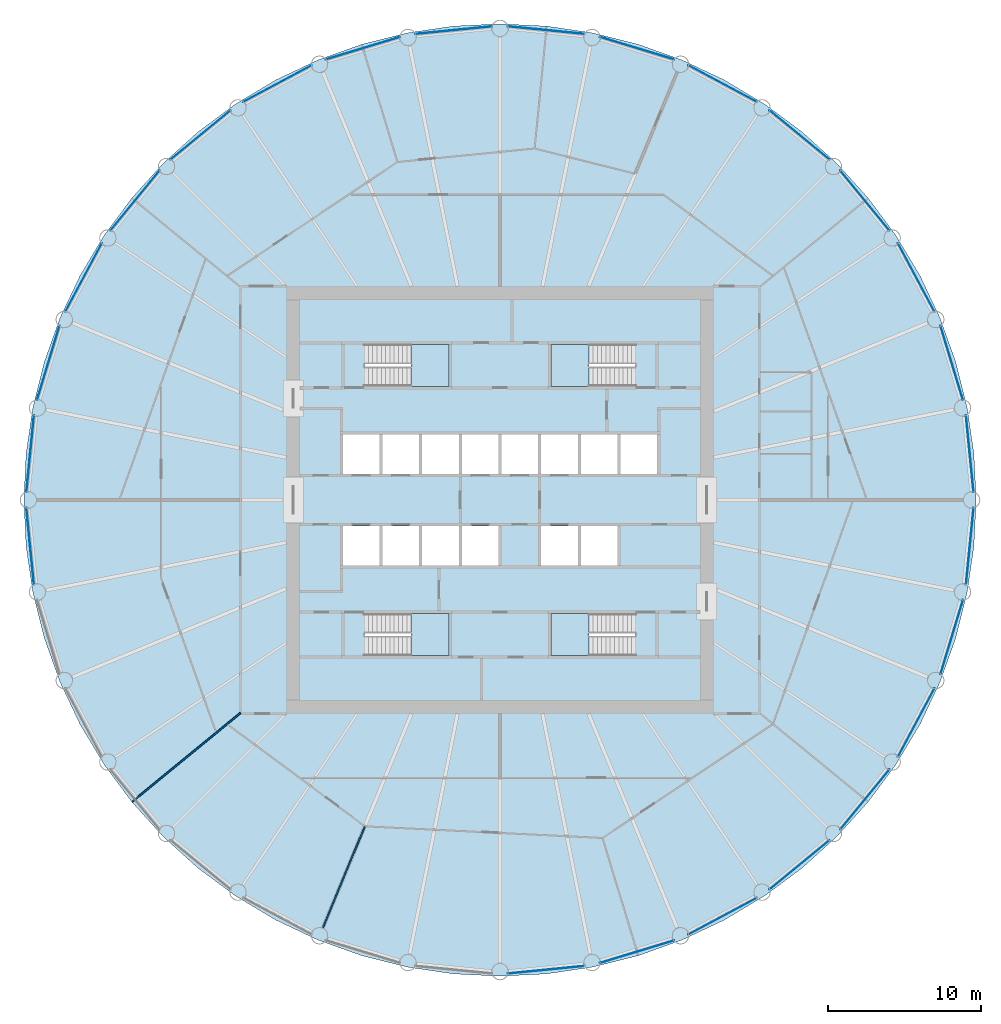
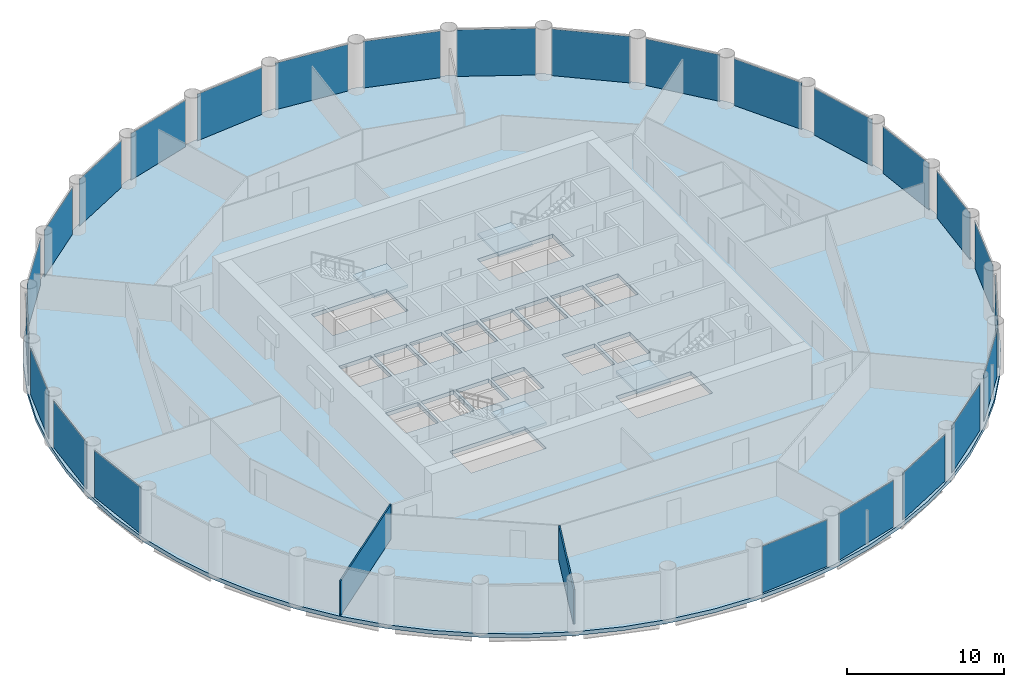
# One storey, part 3 of 9: 25 plates, 5 slabs, 2 walls, 29 elements without a shape of their own.
"""IFC4 building model written with IfcOpenShell, lengths in metres."""

from ifc_helpers import new_model, si_unit, direction, frame, frame_2d, origin, origin_2d, place, context, subcontext, project, spatial, polyline, rectangle, outline, extrude, material, layer, layer_set, type_object, element, aggregate, save


model = new_model("IFC4")

# Units and contexts
model_context = context("Model", 3, precision=1e-05, world=origin(), true_north=direction((0.0, 1.0)))
body_context = subcontext(model_context, "Body", "Model", "MODEL_VIEW")
ifc_project = project(units=[si_unit("LENGTHUNIT", "METRE"), si_unit("AREAUNIT", "SQUARE_METRE"), si_unit("VOLUMEUNIT", "CUBIC_METRE"), si_unit("PLANEANGLEUNIT", "RADIAN"), si_unit("MASSUNIT", "GRAM", prefix="KILO")], contexts=[model_context])

# Site, building, storey
site_placement = place(None, origin())
site = spatial("IfcSite", under=ifc_project, at=site_placement, CompositionType="ELEMENT")
building_placement = place(site_placement, origin())
building = spatial("IfcBuilding", under=site, at=building_placement, Name="Corvane Civic Tower", CompositionType="ELEMENT")
storey_placement = place(building_placement, frame((0.0, 0.0, 180.0)))
storey = spatial("IfcBuildingStorey", under=building, at=storey_placement, Name="L42", CompositionType="ELEMENT", Elevation=180.0)

# Slab
ifc_material_1 = material(Name="Concrete C40/50", Category="concrete")
ifc_layer_1 = layer(ifc_material_1, 0.300048828125)
ifc_layer_set_1 = layer_set([ifc_layer_1], Name="Concrete C40/50")
slab_type_1 = type_object("IfcSlabType", Name="FLOOR SLAB 300", PredefinedType="FLOOR", material=ifc_layer_set_1)
slab_1_placement = place(storey_placement, frame((0.0, 0.0, -0.300048828125)))
element("IfcSlab", 1, at=slab_1_placement, inside=storey, type_object=slab_type_1, Name="SLB-L42", PredefinedType="FLOOR", context=body_context, shape_type="SweptSolid", body=[
    extrude(outline(polyline([(0.0, 31.199951171875), (-3.05810546875, 31.0498046875), (-6.0869140625, 30.6005859375), (-9.056884765625, 29.8564453125), (-11.939697265625, 28.824951171875), (-14.70751953125, 27.515869140625), (-17.333740234375, 25.94189453125), (-19.79296875, 24.117919921875), (-22.061767578125, 22.061767578125), (-24.117919921875, 19.79296875), (-25.94189453125, 17.333740234375), (-27.515869140625, 14.70751953125), (-28.824951171875, 11.939697265625), (-29.8564453125, 9.056884765625), (-30.6005859375, 6.0869140625), (-31.0498046875, 3.05810546875), (-31.199951171875, 0.0), (-31.0498046875, -3.05810546875), (-30.6005859375, -6.0869140625), (-29.8564453125, -9.056884765625), (-28.824951171875, -11.939697265625), (-27.515869140625, -14.70751953125), (-25.94189453125, -17.333740234375), (-24.117919921875, -19.79296875), (-22.061767578125, -22.061767578125), (-19.79296875, -24.117919921875), (-17.333740234375, -25.94189453125), (-14.70751953125, -27.515869140625), (-11.939697265625, -28.824951171875), (-9.056884765625, -29.8564453125), (-6.0869140625, -30.6005859375), (-3.05810546875, -31.0498046875), (0.0, -31.199951171875), (3.05810546875, -31.0498046875), (6.0869140625, -30.6005859375), (9.056884765625, -29.8564453125), (11.939697265625, -28.824951171875), (14.70751953125, -27.515869140625), (17.333740234375, -25.94189453125), (19.79296875, -24.117919921875), (22.061767578125, -22.061767578125), (24.117919921875, -19.79296875), (25.94189453125, -17.333740234375), (27.515869140625, -14.70751953125), (28.824951171875, -11.939697265625), (29.8564453125, -9.056884765625), (30.6005859375, -6.0869140625), (31.0498046875, -3.05810546875), (31.199951171875, 0.0), (31.0498046875, 3.05810546875), (30.6005859375, 6.0869140625), (29.8564453125, 9.056884765625), (28.824951171875, 11.939697265625), (27.515869140625, 14.70751953125), (25.94189453125, 17.333740234375), (24.117919921875, 19.79296875), (22.061767578125, 22.061767578125), (19.79296875, 24.117919921875), (17.333740234375, 25.94189453125), (14.70751953125, 27.515869140625), (11.939697265625, 28.824951171875), (9.056884765625, 29.8564453125), (6.0869140625, 30.6005859375), (3.05810546875, 31.0498046875), (0.0, 31.199951171875)]), holes=[polyline([(-10.300048828125, 4.300048828125), (-7.89990234375, 4.300048828125), (-7.89990234375, 1.699951171875), (-10.300048828125, 1.699951171875), (-10.300048828125, 4.300048828125)]), polyline([(-7.699951171875, 4.300048828125), (-5.300048828125, 4.300048828125), (-5.300048828125, 1.699951171875), (-7.699951171875, 1.699951171875), (-7.699951171875, 4.300048828125)]), polyline([(-5.10009765625, 4.300048828125), (-2.699951171875, 4.300048828125), (-2.699951171875, 1.699951171875), (-5.10009765625, 1.699951171875), (-5.10009765625, 4.300048828125)]), polyline([(-0.10009765625, 1.699951171875), (-2.5, 1.699951171875), (-2.5, 4.300048828125), (-0.10009765625, 4.300048828125), (-0.10009765625, 1.699951171875)]), polyline([(2.5, 1.699951171875), (0.10009765625, 1.699951171875), (0.10009765625, 4.300048828125), (2.5, 4.300048828125), (2.5, 1.699951171875)]), polyline([(2.699951171875, 4.300048828125), (5.10009765625, 4.300048828125), (5.10009765625, 1.699951171875), (2.699951171875, 1.699951171875), (2.699951171875, 4.300048828125)]), polyline([(5.300048828125, 4.300048828125), (7.699951171875, 4.300048828125), (7.699951171875, 1.699951171875), (5.300048828125, 1.699951171875), (5.300048828125, 4.300048828125)]), polyline([(7.89990234375, 4.300048828125), (10.300048828125, 4.300048828125), (10.300048828125, 1.699951171875), (7.89990234375, 1.699951171875), (7.89990234375, 4.300048828125)]), polyline([(-7.89990234375, -1.699951171875), (-7.89990234375, -4.300048828125), (-10.300048828125, -4.300048828125), (-10.300048828125, -1.699951171875), (-7.89990234375, -1.699951171875)]), polyline([(-7.699951171875, -4.300048828125), (-7.699951171875, -1.699951171875), (-5.300048828125, -1.699951171875), (-5.300048828125, -4.300048828125), (-7.699951171875, -4.300048828125)]), polyline([(-5.10009765625, -4.300048828125), (-5.10009765625, -1.699951171875), (-2.699951171875, -1.699951171875), (-2.699951171875, -4.300048828125), (-5.10009765625, -4.300048828125)]), polyline([(-0.10009765625, -1.699951171875), (-0.10009765625, -4.300048828125), (-2.5, -4.300048828125), (-2.5, -1.699951171875), (-0.10009765625, -1.699951171875)]), polyline([(5.10009765625, -1.699951171875), (5.10009765625, -4.300048828125), (2.699951171875, -4.300048828125), (2.699951171875, -1.699951171875), (5.10009765625, -1.699951171875)]), polyline([(7.699951171875, -1.699951171875), (7.699951171875, -4.300048828125), (5.300048828125, -4.300048828125), (5.300048828125, -1.699951171875), (7.699951171875, -1.699951171875)]), polyline([(8.889892578125, 10.199951171875), (8.889892578125, 7.449951171875), (3.35009765625, 7.449951171875), (3.35009765625, 10.199951171875), (8.889892578125, 10.199951171875)]), polyline([(-8.889892578125, 7.449951171875), (-8.889892578125, 10.199951171875), (-3.35009765625, 10.199951171875), (-3.35009765625, 7.449951171875), (-8.889892578125, 7.449951171875)]), polyline([(8.889892578125, -7.449951171875), (8.889892578125, -10.199951171875), (3.35009765625, -10.199951171875), (3.35009765625, -7.449951171875), (8.889892578125, -7.449951171875)]), polyline([(-8.889892578125, -10.199951171875), (-8.889892578125, -7.449951171875), (-3.35009765625, -7.449951171875), (-3.35009765625, -10.199951171875), (-8.889892578125, -10.199951171875)])]), origin(), (0.0, 0.0, 1.0), 0.300048828125),
])

# Stair, slab
ifc_material_2 = material(Name="Concrete C40/50", Category="concrete")
stair_type = type_object("IfcStairType", Name="ST-STAIR-HALFTURN", PredefinedType="HALF_TURN_STAIR", material=ifc_material_2)
stair_1_placement = place(storey_placement, origin())
stair_1 = element("IfcStair", 2, at=stair_1_placement, inside=storey, type_object=stair_type, Name="L42 Exit stair ST1", PredefinedType="HALF_TURN_STAIR")
ifc_material_3 = material(Name="Concrete C40/50", Category="concrete")
ifc_layer_2 = layer(ifc_material_3, 0.199951171875)
ifc_layer_set_2 = layer_set([ifc_layer_2], Name="Concrete C40/50")
slab_type_2 = type_object("IfcSlabType", Name="ST-LANDING-RC", PredefinedType="LANDING", material=ifc_layer_set_2)
slab_2_placement = place(storey_placement, frame((0.0, 0.0, 1.800048828125)))
slab_2 = element("IfcSlab", 3, at=slab_2_placement, type_object=slab_type_2, Name="ST1 landing 1", PredefinedType="LANDING", context=body_context, shape_type="SweptSolid", body=[
    extrude(outline(polyline([(5.820068359375, 10.199951171875), (3.35009765625, 10.199951171875), (3.35009765625, 7.449951171875), (5.820068359375, 7.449951171875), (5.820068359375, 10.199951171875)])), origin(), (0.0, 0.0, 1.0), 0.199951171875),
])
aggregate(stair_1, [slab_2])

stair_2_placement = place(storey_placement, origin())
stair_2 = element("IfcStair", 4, at=stair_2_placement, inside=storey, type_object=stair_type, Name="L42 Exit stair ST2", PredefinedType="HALF_TURN_STAIR")
slab_3_placement = place(storey_placement, frame((0.0, 0.0, 1.800048828125)))
slab_3 = element("IfcSlab", 5, at=slab_3_placement, type_object=slab_type_2, Name="ST2 landing 1", PredefinedType="LANDING", context=body_context, shape_type="SweptSolid", body=[
    extrude(outline(polyline([(5.820068359375, -7.449951171875), (3.35009765625, -7.449951171875), (3.35009765625, -10.199951171875), (5.820068359375, -10.199951171875), (5.820068359375, -7.449951171875)])), origin(), (0.0, 0.0, 1.0), 0.199951171875),
])
aggregate(stair_2, [slab_3])

stair_3_placement = place(storey_placement, origin())
stair_3 = element("IfcStair", 6, at=stair_3_placement, inside=storey, type_object=stair_type, Name="L42 Exit stair ST3", PredefinedType="HALF_TURN_STAIR")
slab_4_placement = place(storey_placement, frame((0.0, 0.0, 1.800048828125)))
slab_4 = element("IfcSlab", 7, at=slab_4_placement, type_object=slab_type_2, Name="ST3 landing 1", PredefinedType="LANDING", context=body_context, shape_type="SweptSolid", body=[
    extrude(outline(polyline([(-5.820068359375, -10.199951171875), (-3.35009765625, -10.199951171875), (-3.35009765625, -7.449951171875), (-5.820068359375, -7.449951171875), (-5.820068359375, -10.199951171875)])), origin(), (0.0, 0.0, 1.0), 0.199951171875),
])
aggregate(stair_3, [slab_4])

stair_4_placement = place(storey_placement, origin())
stair_4 = element("IfcStair", 8, at=stair_4_placement, inside=storey, type_object=stair_type, Name="L42 Exit stair ST4", PredefinedType="HALF_TURN_STAIR")
slab_5_placement = place(storey_placement, frame((0.0, 0.0, 1.800048828125)))
slab_5 = element("IfcSlab", 9, at=slab_5_placement, type_object=slab_type_2, Name="ST4 landing 1", PredefinedType="LANDING", context=body_context, shape_type="SweptSolid", body=[
    extrude(outline(polyline([(-5.820068359375, 7.449951171875), (-3.35009765625, 7.449951171875), (-3.35009765625, 10.199951171875), (-5.820068359375, 10.199951171875), (-5.820068359375, 7.449951171875)])), origin(), (0.0, 0.0, 1.0), 0.199951171875),
])
aggregate(stair_4, [slab_5])

# Curtain wall, plate
ifc_material_4 = material(Name="Anodised aluminium bronze", Category="aluminium")
curtain_wall_type = type_object("IfcCurtainWallType", Name="TOWER CW-T2 STICK CURTAIN WALL", PredefinedType="NOTDEFINED", material=ifc_material_4)
curtain_wall_1_placement = place(storey_placement, origin())
curtain_wall_1 = element("IfcCurtainWall", 10, at=curtain_wall_1_placement, inside=storey, type_object=curtain_wall_type, Name="Curtain wall CW-T2 L42 bay 01", PredefinedType="NOTDEFINED")
ifc_material_5 = material(Name="Tinted glass", Category="glass")
ifc_layer_3 = layer(ifc_material_5, 0.031982421875)
ifc_layer_set_3 = layer_set([ifc_layer_3], Name="Tinted glass")
plate_type = type_object("IfcPlateType", Name="TOWER CW-T2 PANEL IGU32", PredefinedType="CURTAIN_PANEL", material=ifc_layer_set_3)
plate_1_placement = place(storey_placement, frame((3.03173828125, 30.781494140625, 0.0), z_axis=(0.0, 0.0, 1.0), x_axis=(0.995185244531, -0.098011882274, 0.0)))
plate_1 = element("IfcPlate", 11, at=plate_1_placement, type_object=plate_type, Name="Glass panel CW-T2 L42 01.1", PredefinedType="CURTAIN_PANEL", context=body_context, shape_type="SweptSolid", body=[
    extrude(rectangle(XDim=5.07763671875, YDim=0.031982421875, at=origin_2d()), origin(), (0.0, 0.0, 1.0), 3.6298828125),
])
aggregate(curtain_wall_1, [plate_1])

curtain_wall_2_placement = place(storey_placement, origin())
curtain_wall_2 = element("IfcCurtainWall", 12, at=curtain_wall_2_placement, inside=storey, type_object=curtain_wall_type, Name="Curtain wall CW-T2 L42 bay 02", PredefinedType="NOTDEFINED")
plate_2_placement = place(storey_placement, frame((8.978515625, 29.5986328125, 0.0), z_axis=(0.0, 0.0, 1.0), x_axis=(0.956931677007, -0.290313219714, 0.0)))
plate_2 = element("IfcPlate", 13, at=plate_2_placement, type_object=plate_type, Name="Glass panel CW-T2 L42 02.1", PredefinedType="CURTAIN_PANEL", context=body_context, shape_type="SweptSolid", body=[
    extrude(rectangle(XDim=5.077392578125, YDim=0.031982421875, at=origin_2d()), origin(), (0.0, 0.0, 1.0), 3.6298828125),
])
aggregate(curtain_wall_2, [plate_2])

curtain_wall_3_placement = place(storey_placement, origin())
curtain_wall_3 = element("IfcCurtainWall", 14, at=curtain_wall_3_placement, inside=storey, type_object=curtain_wall_type, Name="Curtain wall CW-T2 L42 bay 03", PredefinedType="NOTDEFINED")
plate_3_placement = place(storey_placement, frame((14.58056640625, 27.278076171875, 0.0), z_axis=(0.0, 0.0, 1.0), x_axis=(0.881922190434, -0.471395004238, 0.0)))
plate_3 = element("IfcPlate", 15, at=plate_3_placement, type_object=plate_type, Name="Glass panel CW-T2 L42 03.1", PredefinedType="CURTAIN_PANEL", context=body_context, shape_type="SweptSolid", body=[
    extrude(rectangle(XDim=5.077392578125, YDim=0.031982421875, at=origin_2d()), origin(), (0.0, 0.0, 1.0), 3.6298828125),
])
aggregate(curtain_wall_3, [plate_3])

curtain_wall_4_placement = place(storey_placement, origin())
curtain_wall_4 = element("IfcCurtainWall", 16, at=curtain_wall_4_placement, inside=storey, type_object=curtain_wall_type, Name="Curtain wall CW-T2 L42 bay 04", PredefinedType="NOTDEFINED")
plate_4_placement = place(storey_placement, frame((19.6220703125, 23.909423828125, 0.0), z_axis=(0.0, 0.0, 1.0), x_axis=(0.773004844196, -0.634400118891, 0.0)))
plate_4 = element("IfcPlate", 17, at=plate_4_placement, type_object=plate_type, Name="Glass panel CW-T2 L42 04.1", PredefinedType="CURTAIN_PANEL", context=body_context, shape_type="SweptSolid", body=[
    extrude(rectangle(XDim=5.0771484375, YDim=0.031982421875, at=origin_2d()), origin(), (0.0, 0.0, 1.0), 3.6298828125),
])
aggregate(curtain_wall_4, [plate_4])

curtain_wall_5_placement = place(storey_placement, origin())
curtain_wall_5 = element("IfcCurtainWall", 18, at=curtain_wall_5_placement, inside=storey, type_object=curtain_wall_type, Name="Curtain wall CW-T2 L42 bay 05", PredefinedType="NOTDEFINED")
plate_5_placement = place(storey_placement, frame((23.909423828125, 19.6220703125, 0.0), z_axis=(0.0, 0.0, 1.0), x_axis=(0.634400118891, -0.773004844196, 0.0)))
plate_5 = element("IfcPlate", 19, at=plate_5_placement, type_object=plate_type, Name="Glass panel CW-T2 L42 05.1", PredefinedType="CURTAIN_PANEL", context=body_context, shape_type="SweptSolid", body=[
    extrude(rectangle(XDim=5.0771484375, YDim=0.031982421875, at=origin_2d()), origin(), (0.0, 0.0, 1.0), 3.6298828125),
])
aggregate(curtain_wall_5, [plate_5])

curtain_wall_6_placement = place(storey_placement, origin())
curtain_wall_6 = element("IfcCurtainWall", 20, at=curtain_wall_6_placement, inside=storey, type_object=curtain_wall_type, Name="Curtain wall CW-T2 L42 bay 06", PredefinedType="NOTDEFINED")
plate_6_placement = place(storey_placement, frame((27.278076171875, 14.58056640625, 0.0), z_axis=(0.0, 0.0, 1.0), x_axis=(0.471395004238, -0.881922190434, 0.0)))
plate_6 = element("IfcPlate", 21, at=plate_6_placement, type_object=plate_type, Name="Glass panel CW-T2 L42 06.1", PredefinedType="CURTAIN_PANEL", context=body_context, shape_type="SweptSolid", body=[
    extrude(rectangle(XDim=5.077392578125, YDim=0.031982421875, at=origin_2d()), origin(), (0.0, 0.0, 1.0), 3.6298828125),
])
aggregate(curtain_wall_6, [plate_6])

curtain_wall_7_placement = place(storey_placement, origin())
curtain_wall_7 = element("IfcCurtainWall", 22, at=curtain_wall_7_placement, inside=storey, type_object=curtain_wall_type, Name="Curtain wall CW-T2 L42 bay 07", PredefinedType="NOTDEFINED")
plate_7_placement = place(storey_placement, frame((29.5986328125, 8.978515625, 0.0), z_axis=(0.0, 0.0, 1.0), x_axis=(0.290313219714, -0.956931677007, 0.0)))
plate_7 = element("IfcPlate", 23, at=plate_7_placement, type_object=plate_type, Name="Glass panel CW-T2 L42 07.1", PredefinedType="CURTAIN_PANEL", context=body_context, shape_type="SweptSolid", body=[
    extrude(rectangle(XDim=5.077392578125, YDim=0.031982421875, at=origin_2d()), origin(), (0.0, 0.0, 1.0), 3.6298828125),
])
aggregate(curtain_wall_7, [plate_7])

curtain_wall_8_placement = place(storey_placement, origin())
curtain_wall_8 = element("IfcCurtainWall", 24, at=curtain_wall_8_placement, inside=storey, type_object=curtain_wall_type, Name="Curtain wall CW-T2 L42 bay 08", PredefinedType="NOTDEFINED")
plate_8_placement = place(storey_placement, frame((30.781494140625, 3.03173828125, 0.0), z_axis=(0.0, 0.0, 1.0), x_axis=(0.098011882274, -0.995185244531, 0.0)))
plate_8 = element("IfcPlate", 25, at=plate_8_placement, type_object=plate_type, Name="Glass panel CW-T2 L42 08.1", PredefinedType="CURTAIN_PANEL", context=body_context, shape_type="SweptSolid", body=[
    extrude(rectangle(XDim=5.07763671875, YDim=0.031982421875, at=origin_2d()), origin(), (0.0, 0.0, 1.0), 3.6298828125),
])
aggregate(curtain_wall_8, [plate_8])

curtain_wall_9_placement = place(storey_placement, origin())
curtain_wall_9 = element("IfcCurtainWall", 26, at=curtain_wall_9_placement, inside=storey, type_object=curtain_wall_type, Name="Curtain wall CW-T2 L42 bay 09", PredefinedType="NOTDEFINED")
plate_9_placement = place(storey_placement, frame((30.781494140625, -3.03173828125, 0.0), z_axis=(0.0, 0.0, 1.0), x_axis=(-0.098011882274, -0.995185244531, 0.0)))
plate_9 = element("IfcPlate", 27, at=plate_9_placement, type_object=plate_type, Name="Glass panel CW-T2 L42 09.1", PredefinedType="CURTAIN_PANEL", context=body_context, shape_type="SweptSolid", body=[
    extrude(rectangle(XDim=5.07763671875, YDim=0.031982421875, at=origin_2d()), origin(), (0.0, 0.0, 1.0), 3.6298828125),
])
aggregate(curtain_wall_9, [plate_9])

curtain_wall_10_placement = place(storey_placement, origin())
curtain_wall_10 = element("IfcCurtainWall", 28, at=curtain_wall_10_placement, inside=storey, type_object=curtain_wall_type, Name="Curtain wall CW-T2 L42 bay 10", PredefinedType="NOTDEFINED")
plate_10_placement = place(storey_placement, frame((29.5986328125, -8.978515625, 0.0), z_axis=(0.0, 0.0, 1.0), x_axis=(-0.290313219714, -0.956931677007, 0.0)))
plate_10 = element("IfcPlate", 29, at=plate_10_placement, type_object=plate_type, Name="Glass panel CW-T2 L42 10.1", PredefinedType="CURTAIN_PANEL", context=body_context, shape_type="SweptSolid", body=[
    extrude(rectangle(XDim=5.077392578125, YDim=0.031982421875, at=origin_2d()), origin(), (0.0, 0.0, 1.0), 3.6298828125),
])
aggregate(curtain_wall_10, [plate_10])

curtain_wall_11_placement = place(storey_placement, origin())
curtain_wall_11 = element("IfcCurtainWall", 30, at=curtain_wall_11_placement, inside=storey, type_object=curtain_wall_type, Name="Curtain wall CW-T2 L42 bay 11", PredefinedType="NOTDEFINED")
plate_11_placement = place(storey_placement, frame((27.278076171875, -14.58056640625, 0.0), z_axis=(0.0, 0.0, 1.0), x_axis=(-0.471395004238, -0.881922190434, 0.0)))
plate_11 = element("IfcPlate", 31, at=plate_11_placement, type_object=plate_type, Name="Glass panel CW-T2 L42 11.1", PredefinedType="CURTAIN_PANEL", context=body_context, shape_type="SweptSolid", body=[
    extrude(rectangle(XDim=5.077392578125, YDim=0.031982421875, at=origin_2d()), origin(), (0.0, 0.0, 1.0), 3.6298828125),
])
aggregate(curtain_wall_11, [plate_11])

curtain_wall_12_placement = place(storey_placement, origin())
curtain_wall_12 = element("IfcCurtainWall", 32, at=curtain_wall_12_placement, inside=storey, type_object=curtain_wall_type, Name="Curtain wall CW-T2 L42 bay 12", PredefinedType="NOTDEFINED")
plate_12_placement = place(storey_placement, frame((23.909423828125, -19.6220703125, 0.0), z_axis=(0.0, 0.0, 1.0), x_axis=(-0.634400118891, -0.773004844196, 0.0)))
plate_12 = element("IfcPlate", 33, at=plate_12_placement, type_object=plate_type, Name="Glass panel CW-T2 L42 12.1", PredefinedType="CURTAIN_PANEL", context=body_context, shape_type="SweptSolid", body=[
    extrude(rectangle(XDim=5.0771484375, YDim=0.031982421875, at=origin_2d()), origin(), (0.0, 0.0, 1.0), 3.6298828125),
])
aggregate(curtain_wall_12, [plate_12])

curtain_wall_13_placement = place(storey_placement, origin())
curtain_wall_13 = element("IfcCurtainWall", 34, at=curtain_wall_13_placement, inside=storey, type_object=curtain_wall_type, Name="Curtain wall CW-T2 L42 bay 13", PredefinedType="NOTDEFINED")
plate_13_placement = place(storey_placement, frame((19.6220703125, -23.909423828125, 0.0), z_axis=(0.0, 0.0, 1.0), x_axis=(-0.773004844196, -0.634400118891, 0.0)))
plate_13 = element("IfcPlate", 35, at=plate_13_placement, type_object=plate_type, Name="Glass panel CW-T2 L42 13.1", PredefinedType="CURTAIN_PANEL", context=body_context, shape_type="SweptSolid", body=[
    extrude(rectangle(XDim=5.0771484375, YDim=0.031982421875, at=origin_2d()), origin(), (0.0, 0.0, 1.0), 3.6298828125),
])
aggregate(curtain_wall_13, [plate_13])

curtain_wall_14_placement = place(storey_placement, origin())
curtain_wall_14 = element("IfcCurtainWall", 36, at=curtain_wall_14_placement, inside=storey, type_object=curtain_wall_type, Name="Curtain wall CW-T2 L42 bay 14", PredefinedType="NOTDEFINED")
plate_14_placement = place(storey_placement, frame((14.58056640625, -27.278076171875, 0.0), z_axis=(0.0, 0.0, 1.0), x_axis=(-0.881922190434, -0.471395004238, 0.0)))
plate_14 = element("IfcPlate", 37, at=plate_14_placement, type_object=plate_type, Name="Glass panel CW-T2 L42 14.1", PredefinedType="CURTAIN_PANEL", context=body_context, shape_type="SweptSolid", body=[
    extrude(rectangle(XDim=5.077392578125, YDim=0.031982421875, at=origin_2d()), origin(), (0.0, 0.0, 1.0), 3.6298828125),
])
aggregate(curtain_wall_14, [plate_14])

curtain_wall_15_placement = place(storey_placement, origin())
curtain_wall_15 = element("IfcCurtainWall", 38, at=curtain_wall_15_placement, inside=storey, type_object=curtain_wall_type, Name="Curtain wall CW-T2 L42 bay 15", PredefinedType="NOTDEFINED")
plate_15_placement = place(storey_placement, frame((8.978515625, -29.5986328125, 0.0), z_axis=(0.0, 0.0, 1.0), x_axis=(-0.956931677007, -0.290313219714, 0.0)))
plate_15 = element("IfcPlate", 39, at=plate_15_placement, type_object=plate_type, Name="Glass panel CW-T2 L42 15.1", PredefinedType="CURTAIN_PANEL", context=body_context, shape_type="SweptSolid", body=[
    extrude(rectangle(XDim=5.077392578125, YDim=0.031982421875, at=origin_2d()), origin(), (0.0, 0.0, 1.0), 3.6298828125),
])
aggregate(curtain_wall_15, [plate_15])

curtain_wall_16_placement = place(storey_placement, origin())
curtain_wall_16 = element("IfcCurtainWall", 40, at=curtain_wall_16_placement, inside=storey, type_object=curtain_wall_type, Name="Curtain wall CW-T2 L42 bay 16", PredefinedType="NOTDEFINED")
plate_16_placement = place(storey_placement, frame((3.03173828125, -30.781494140625, 0.0), z_axis=(0.0, 0.0, 1.0), x_axis=(-0.995185244531, -0.098011882274, 0.0)))
plate_16 = element("IfcPlate", 41, at=plate_16_placement, type_object=plate_type, Name="Glass panel CW-T2 L42 16.1", PredefinedType="CURTAIN_PANEL", context=body_context, shape_type="SweptSolid", body=[
    extrude(rectangle(XDim=5.07763671875, YDim=0.031982421875, at=origin_2d()), origin(), (0.0, 0.0, 1.0), 3.6298828125),
])
aggregate(curtain_wall_16, [plate_16])

curtain_wall_17_placement = place(storey_placement, origin())
curtain_wall_17 = element("IfcCurtainWall", 42, at=curtain_wall_17_placement, inside=storey, type_object=curtain_wall_type, Name="Curtain wall CW-T2 L42 bay 24", PredefinedType="NOTDEFINED")
plate_17_placement = place(storey_placement, frame((-30.781494140625, -3.03173828125, 0.0), z_axis=(0.0, 0.0, 1.0), x_axis=(-0.098011882274, 0.995185244531, 0.0)))
plate_17 = element("IfcPlate", 43, at=plate_17_placement, type_object=plate_type, Name="Glass panel CW-T2 L42 24.1", PredefinedType="CURTAIN_PANEL", context=body_context, shape_type="SweptSolid", body=[
    extrude(rectangle(XDim=5.07763671875, YDim=0.031982421875, at=origin_2d()), origin(), (0.0, 0.0, 1.0), 3.6298828125),
])
aggregate(curtain_wall_17, [plate_17])

curtain_wall_18_placement = place(storey_placement, origin())
curtain_wall_18 = element("IfcCurtainWall", 44, at=curtain_wall_18_placement, inside=storey, type_object=curtain_wall_type, Name="Curtain wall CW-T2 L42 bay 25", PredefinedType="NOTDEFINED")
plate_18_placement = place(storey_placement, frame((-30.781494140625, 3.03173828125, 0.0), z_axis=(0.0, 0.0, 1.0), x_axis=(0.098011882274, 0.995185244531, 0.0)))
plate_18 = element("IfcPlate", 45, at=plate_18_placement, type_object=plate_type, Name="Glass panel CW-T2 L42 25.1", PredefinedType="CURTAIN_PANEL", context=body_context, shape_type="SweptSolid", body=[
    extrude(rectangle(XDim=5.07763671875, YDim=0.031982421875, at=origin_2d()), origin(), (0.0, 0.0, 1.0), 3.6298828125),
])
aggregate(curtain_wall_18, [plate_18])

curtain_wall_19_placement = place(storey_placement, origin())
curtain_wall_19 = element("IfcCurtainWall", 46, at=curtain_wall_19_placement, inside=storey, type_object=curtain_wall_type, Name="Curtain wall CW-T2 L42 bay 26", PredefinedType="NOTDEFINED")
plate_19_placement = place(storey_placement, frame((-29.5986328125, 8.978515625, 0.0), z_axis=(0.0, 0.0, 1.0), x_axis=(0.290313219714, 0.956931677007, 0.0)))
plate_19 = element("IfcPlate", 47, at=plate_19_placement, type_object=plate_type, Name="Glass panel CW-T2 L42 26.1", PredefinedType="CURTAIN_PANEL", context=body_context, shape_type="SweptSolid", body=[
    extrude(rectangle(XDim=5.077392578125, YDim=0.031982421875, at=origin_2d()), origin(), (0.0, 0.0, 1.0), 3.6298828125),
])
aggregate(curtain_wall_19, [plate_19])

curtain_wall_20_placement = place(storey_placement, origin())
curtain_wall_20 = element("IfcCurtainWall", 48, at=curtain_wall_20_placement, inside=storey, type_object=curtain_wall_type, Name="Curtain wall CW-T2 L42 bay 27", PredefinedType="NOTDEFINED")
plate_20_placement = place(storey_placement, frame((-27.278076171875, 14.58056640625, 0.0), z_axis=(0.0, 0.0, 1.0), x_axis=(0.471395004238, 0.881922190434, 0.0)))
plate_20 = element("IfcPlate", 49, at=plate_20_placement, type_object=plate_type, Name="Glass panel CW-T2 L42 27.1", PredefinedType="CURTAIN_PANEL", context=body_context, shape_type="SweptSolid", body=[
    extrude(rectangle(XDim=5.077392578125, YDim=0.031982421875, at=origin_2d()), origin(), (0.0, 0.0, 1.0), 3.6298828125),
])
aggregate(curtain_wall_20, [plate_20])

curtain_wall_21_placement = place(storey_placement, origin())
curtain_wall_21 = element("IfcCurtainWall", 50, at=curtain_wall_21_placement, inside=storey, type_object=curtain_wall_type, Name="Curtain wall CW-T2 L42 bay 28", PredefinedType="NOTDEFINED")
plate_21_placement = place(storey_placement, frame((-23.909423828125, 19.6220703125, 0.0), z_axis=(0.0, 0.0, 1.0), x_axis=(0.634400118891, 0.773004844196, 0.0)))
plate_21 = element("IfcPlate", 51, at=plate_21_placement, type_object=plate_type, Name="Glass panel CW-T2 L42 28.1", PredefinedType="CURTAIN_PANEL", context=body_context, shape_type="SweptSolid", body=[
    extrude(rectangle(XDim=5.0771484375, YDim=0.031982421875, at=origin_2d()), origin(), (0.0, 0.0, 1.0), 3.6298828125),
])
aggregate(curtain_wall_21, [plate_21])

curtain_wall_22_placement = place(storey_placement, origin())
curtain_wall_22 = element("IfcCurtainWall", 52, at=curtain_wall_22_placement, inside=storey, type_object=curtain_wall_type, Name="Curtain wall CW-T2 L42 bay 29", PredefinedType="NOTDEFINED")
plate_22_placement = place(storey_placement, frame((-19.6220703125, 23.909423828125, 0.0), z_axis=(0.0, 0.0, 1.0), x_axis=(0.773004844196, 0.634400118891, 0.0)))
plate_22 = element("IfcPlate", 53, at=plate_22_placement, type_object=plate_type, Name="Glass panel CW-T2 L42 29.1", PredefinedType="CURTAIN_PANEL", context=body_context, shape_type="SweptSolid", body=[
    extrude(rectangle(XDim=5.0771484375, YDim=0.031982421875, at=origin_2d()), origin(), (0.0, 0.0, 1.0), 3.6298828125),
])
aggregate(curtain_wall_22, [plate_22])

curtain_wall_23_placement = place(storey_placement, origin())
curtain_wall_23 = element("IfcCurtainWall", 54, at=curtain_wall_23_placement, inside=storey, type_object=curtain_wall_type, Name="Curtain wall CW-T2 L42 bay 30", PredefinedType="NOTDEFINED")
plate_23_placement = place(storey_placement, frame((-14.58056640625, 27.278076171875, 0.0), z_axis=(0.0, 0.0, 1.0), x_axis=(0.881922190434, 0.471395004238, 0.0)))
plate_23 = element("IfcPlate", 55, at=plate_23_placement, type_object=plate_type, Name="Glass panel CW-T2 L42 30.1", PredefinedType="CURTAIN_PANEL", context=body_context, shape_type="SweptSolid", body=[
    extrude(rectangle(XDim=5.077392578125, YDim=0.031982421875, at=origin_2d()), origin(), (0.0, 0.0, 1.0), 3.6298828125),
])
aggregate(curtain_wall_23, [plate_23])

curtain_wall_24_placement = place(storey_placement, origin())
curtain_wall_24 = element("IfcCurtainWall", 56, at=curtain_wall_24_placement, inside=storey, type_object=curtain_wall_type, Name="Curtain wall CW-T2 L42 bay 31", PredefinedType="NOTDEFINED")
plate_24_placement = place(storey_placement, frame((-8.978515625, 29.5986328125, 0.0), z_axis=(0.0, 0.0, 1.0), x_axis=(0.956931677007, 0.290313219714, 0.0)))
plate_24 = element("IfcPlate", 57, at=plate_24_placement, type_object=plate_type, Name="Glass panel CW-T2 L42 31.1", PredefinedType="CURTAIN_PANEL", context=body_context, shape_type="SweptSolid", body=[
    extrude(rectangle(XDim=5.077392578125, YDim=0.031982421875, at=origin_2d()), origin(), (0.0, 0.0, 1.0), 3.6298828125),
])
aggregate(curtain_wall_24, [plate_24])

curtain_wall_25_placement = place(storey_placement, origin())
curtain_wall_25 = element("IfcCurtainWall", 58, at=curtain_wall_25_placement, inside=storey, type_object=curtain_wall_type, Name="Curtain wall CW-T2 L42 bay 32", PredefinedType="NOTDEFINED")
plate_25_placement = place(storey_placement, frame((-3.03173828125, 30.781494140625, 0.0), z_axis=(0.0, 0.0, 1.0), x_axis=(0.995185244531, 0.098011882274, 0.0)))
plate_25 = element("IfcPlate", 59, at=plate_25_placement, type_object=plate_type, Name="Glass panel CW-T2 L42 32.1", PredefinedType="CURTAIN_PANEL", context=body_context, shape_type="SweptSolid", body=[
    extrude(rectangle(XDim=5.07763671875, YDim=0.031982421875, at=origin_2d()), origin(), (0.0, 0.0, 1.0), 3.6298828125),
])
aggregate(curtain_wall_25, [plate_25])

# Walls
ifc_material_6 = material(Name="Plasterboard")
ifc_layer_4 = layer(ifc_material_6, 0.10009765625)
ifc_layer_set_4 = layer_set([ifc_layer_4], Name="Plasterboard")
wall_type = type_object("IfcWallType", Name="Partition 100 plasterboard on studs", PredefinedType="PARTITIONING", material=ifc_layer_set_4)
wall_1_placement = place(storey_placement, frame((-11.610595703125, -28.030517578125, 0.0), z_axis=(0.0, 0.0, 1.0), x_axis=(0.382685035902, 0.923878868303, 0.0)))
element("IfcWall", 60, at=wall_1_placement, inside=storey, type_object=wall_type, Name="Partition L42.002", PredefinedType="PARTITIONING", context=body_context, shape_type="SweptSolid", body=[
    extrude(rectangle(XDim=7.16064453125, YDim=0.10009765625, at=frame_2d((3.580322265625, 0.0))), origin(), (0.0, 0.0, 1.0), 2.699951171875),
])
wall_2_placement = place(storey_placement, frame((-24.079345703125, -19.761474609375, 0.0), z_axis=(0.0, 0.0, 1.0), x_axis=(0.773006154143, 0.634398522742, 0.0)))
element("IfcWall", 61, at=wall_2_placement, inside=storey, type_object=wall_type, Name="Partition L42.006", PredefinedType="PARTITIONING", context=body_context, shape_type="SweptSolid", body=[
    extrude(rectangle(XDim=9.134521484375, YDim=0.10009765625, at=frame_2d((4.5673828125, 0.0))), origin(), (0.0, 0.0, 1.0), 2.699951171875),
])

save(model, "model.ifc")
